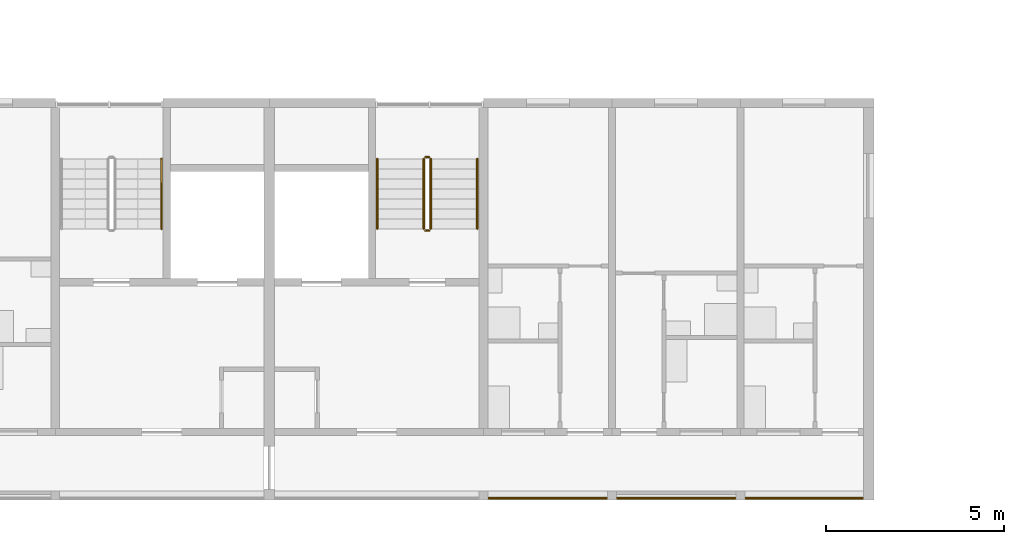
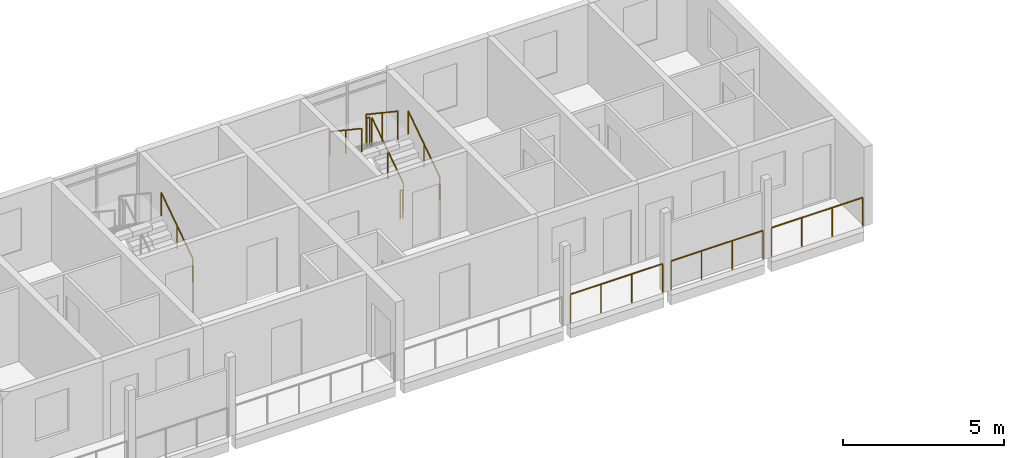
# One storey, part 78 of 93: 10 railings.
"""IFC4 building model written with IfcOpenShell, lengths in metres."""

from ifc_helpers import new_model, si_unit, direction, frame, origin, origin_2d, place, context, subcontext, project, spatial, circle, extrude, material, type_object, element, save


model = new_model("IFC4")

# Units and contexts
model_context = context("Model", 3, precision=1e-05, world=origin(), true_north=direction((0.0, 1.0)))
body_context = subcontext(model_context, "Body", "Model", "MODEL_VIEW")
ifc_project = project(units=[si_unit("LENGTHUNIT", "METRE"), si_unit("AREAUNIT", "SQUARE_METRE"), si_unit("VOLUMEUNIT", "CUBIC_METRE"), si_unit("PLANEANGLEUNIT", "RADIAN"), si_unit("MASSUNIT", "GRAM", prefix="KILO")], contexts=[model_context])

# Site, building, storey
site_placement = place(None, origin())
site = spatial("IfcSite", under=ifc_project, at=site_placement, CompositionType="ELEMENT")
building_placement = place(site_placement, origin())
building = spatial("IfcBuilding", under=site, at=building_placement, Name="Ridgestep Commons", CompositionType="ELEMENT")
storey_placement = place(building_placement, frame((0.0, 0.0, 18.0)))
storey = spatial("IfcBuildingStorey", under=building, at=storey_placement, Name="L06", CompositionType="ELEMENT", Elevation=18.0)

# Railings
ifc_material_1 = material(Name="Structural steel S355JR", Category="steel")
railing_type_1 = type_object("IfcRailingType", Name="Guard 1100", PredefinedType="GUARDRAIL", material=ifc_material_1)
railing_1_placement = place(storey_placement, frame((102.14599609375, 11.800048828125, 0.0)))
element("IfcRailing", 1, at=railing_1_placement, inside=storey, type_object=railing_type_1, Name="Gallery guard A 06.22", PredefinedType="GUARDRAIL", context=body_context, shape_type="SweptSolid", body=[
    extrude(circle(Radius=0.02392578125, at=origin_2d()), frame((0.0, 0.0, 1.076171875), z_axis=(1.0, 0.0, 0.0), x_axis=(0.0, 1.0, 0.0)), (0.0, 0.0, 1.0), 3.30810546875),
    extrude(circle(Radius=0.02099609375, at=origin_2d()), origin(), (0.0, 0.0, 1.0), 1.052001953125),
    extrude(circle(Radius=0.02099609375, at=origin_2d()), frame((1.102783203125, 0.0, 0.0)), (0.0, 0.0, 1.0), 1.052001953125),
    extrude(circle(Radius=0.02099609375, at=origin_2d()), frame((2.205322265625, 0.0, 0.0)), (0.0, 0.0, 1.0), 1.052001953125),
    extrude(circle(Radius=0.02099609375, at=origin_2d()), frame((3.30810546875, 0.0, 0.0)), (0.0, 0.0, 1.0), 1.052001953125),
])
railing_2_placement = place(storey_placement, frame((105.74609375, 11.800048828125, 0.0)))
element("IfcRailing", 2, at=railing_2_placement, inside=storey, type_object=railing_type_1, Name="Gallery guard A 06.23", PredefinedType="GUARDRAIL", context=body_context, shape_type="SweptSolid", body=[
    extrude(circle(Radius=0.02392578125, at=origin_2d()), frame((0.0, 0.0, 1.076171875), z_axis=(1.0, 0.0, 0.0), x_axis=(0.0, 1.0, 0.0)), (0.0, 0.0, 1.0), 3.307861328125),
    extrude(circle(Radius=0.02099609375, at=origin_2d()), origin(), (0.0, 0.0, 1.0), 1.052001953125),
    extrude(circle(Radius=0.02099609375, at=origin_2d()), frame((1.1025390625, 0.0, 0.0)), (0.0, 0.0, 1.0), 1.052001953125),
    extrude(circle(Radius=0.02099609375, at=origin_2d()), frame((2.205322265625, 0.0, 0.0)), (0.0, 0.0, 1.0), 1.052001953125),
    extrude(circle(Radius=0.02099609375, at=origin_2d()), frame((3.307861328125, 0.0, 0.0)), (0.0, 0.0, 1.0), 1.052001953125),
])
railing_3_placement = place(storey_placement, frame((109.345947265625, 11.800048828125, 0.0)))
element("IfcRailing", 3, at=railing_3_placement, inside=storey, type_object=railing_type_1, Name="Gallery guard A 06.24", PredefinedType="GUARDRAIL", context=body_context, shape_type="SweptSolid", body=[
    extrude(circle(Radius=0.02392578125, at=origin_2d()), frame((0.0, 0.0, 1.076171875), z_axis=(1.0, 0.0, 0.0), x_axis=(0.0, 1.0, 0.0)), (0.0, 0.0, 1.0), 3.282958984375),
    extrude(circle(Radius=0.02099609375, at=origin_2d()), origin(), (0.0, 0.0, 1.0), 1.052001953125),
    extrude(circle(Radius=0.02099609375, at=origin_2d()), frame((1.09423828125, 0.0, 0.0)), (0.0, 0.0, 1.0), 1.052001953125),
    extrude(circle(Radius=0.02099609375, at=origin_2d()), frame((2.188720703125, 0.0, 0.0)), (0.0, 0.0, 1.0), 1.052001953125),
    extrude(circle(Radius=0.02099609375, at=origin_2d()), frame((3.282958984375, 0.0, 0.0)), (0.0, 0.0, 1.0), 1.052001953125),
])
ifc_material_2 = material(Name="Structural steel S355JR", Category="steel")
railing_type_2 = type_object("IfcRailingType", Name="Stair guard 1100", PredefinedType="GUARDRAIL", material=ifc_material_2)
railing_4_placement = place(storey_placement, frame((100.52490234375, 19.35009765625, 0.1875)))
element("IfcRailing", 4, at=railing_4_placement, inside=storey, type_object=railing_type_2, Name="L06 A6C stair guard 1", PredefinedType="GUARDRAIL", context=body_context, shape_type="SweptSolid", body=[
    extrude(circle(Radius=0.02392578125, at=origin_2d()), frame((0.0, 0.0, 1.076171875), z_axis=(0.0, 0.830902050051, 0.556418712142), x_axis=(-1.0, 0.0, 0.0)), (0.0, 0.0, 1.0), 2.35888671875),
    extrude(circle(Radius=0.02099609375, at=origin_2d()), origin(), (0.0, 0.0, 1.0), 1.052001953125),
    extrude(circle(Radius=0.02099609375, at=origin_2d()), frame((0.0, 0.97998046875, 0.65625)), (0.0, 0.0, 1.0), 1.052001953125),
    extrude(circle(Radius=0.02099609375, at=origin_2d()), frame((0.0, 1.9599609375, 1.3125)), (0.0, 0.0, 1.0), 1.052001953125),
])
railing_5_placement = place(storey_placement, frame((100.47509765625, 21.360107421875, 1.5)))
element("IfcRailing", 5, at=railing_5_placement, inside=storey, type_object=railing_type_2, Name="L06 A6C stair guard 2", PredefinedType="GUARDRAIL", context=body_context, shape_type="SweptSolid", body=[
    extrude(circle(Radius=0.02392578125, at=origin_2d()), frame((0.0, 0.0, 1.076171875), z_axis=(-1.0, 0.0, 0.0), x_axis=(0.0, -1.0, 0.0)), (0.0, 0.0, 1.0), 0.10009765625),
    extrude(circle(Radius=0.02099609375, at=origin_2d()), origin(), (0.0, 0.0, 1.0), 1.052001953125),
    extrude(circle(Radius=0.02099609375, at=origin_2d()), frame((-0.10009765625, 0.0, 0.0)), (0.0, 0.0, 1.0), 1.052001953125),
])
railing_6_placement = place(storey_placement, frame((100.324951171875, 21.31005859375, 1.6875)))
element("IfcRailing", 6, at=railing_6_placement, inside=storey, type_object=railing_type_2, Name="L06 A6C stair guard 3", PredefinedType="GUARDRAIL", context=body_context, shape_type="SweptSolid", body=[
    extrude(circle(Radius=0.02392578125, at=origin_2d()), frame((0.0, 0.0, 1.076171875), z_axis=(0.0, -0.830902050051, 0.556418712142), x_axis=(1.0, 0.0, 0.0)), (0.0, 0.0, 1.0), 2.35888671875),
    extrude(circle(Radius=0.02099609375, at=origin_2d()), origin(), (0.0, 0.0, 1.0), 1.052001953125),
    extrude(circle(Radius=0.02099609375, at=origin_2d()), frame((0.0, -0.97998046875, 0.65625)), (0.0, 0.0, 1.0), 1.052001953125),
    extrude(circle(Radius=0.02099609375, at=origin_2d()), frame((0.0, -1.9599609375, 1.3125)), (0.0, 0.0, 1.0), 1.052001953125),
])
railing_7_placement = place(storey_placement, frame((100.47509765625, 19.300048828125, 0.0)))
element("IfcRailing", 7, at=railing_7_placement, inside=storey, type_object=railing_type_2, Name="L06 A6C stair guard 4", PredefinedType="GUARDRAIL", context=body_context, shape_type="SweptSolid", body=[
    extrude(circle(Radius=0.02392578125, at=origin_2d()), frame((0.0, 0.0, 1.076171875), z_axis=(-1.0, 0.0, 0.0), x_axis=(0.0, -1.0, 0.0)), (0.0, 0.0, 1.0), 0.10009765625),
    extrude(circle(Radius=0.02099609375, at=origin_2d()), origin(), (0.0, 0.0, 1.0), 1.052001953125),
    extrude(circle(Radius=0.02099609375, at=origin_2d()), frame((-0.10009765625, 0.0, 0.0)), (0.0, 0.0, 1.0), 1.052001953125),
])
ifc_material_3 = material(Name="Structural steel S355JR", Category="steel")
railing_type_3 = type_object("IfcRailingType", Name="Stair handrail 900", PredefinedType="HANDRAIL", material=ifc_material_3)
for number, where, name in (
    (8, (92.97509765625, 19.35009765625, 0.1875), "L06 A5C stair handrail 1"),
    (9, (101.824951171875, 19.35009765625, 0.1875), "L06 A6C stair handrail 1"),
):
    element("IfcRailing", number, at=place(storey_placement, frame(where)), inside=storey, type_object=railing_type_3, Name=name, PredefinedType="HANDRAIL", context=body_context, shape_type="SweptSolid", body=[
        extrude(circle(Radius=0.02392578125, at=origin_2d()), frame((0.0, 0.0, 0.8759765625), z_axis=(0.0, 0.830902050051, 0.556418712142), x_axis=(-1.0, 0.0, 0.0)), (0.0, 0.0, 1.0), 2.35888671875),
        extrude(circle(Radius=0.02099609375, at=origin_2d()), origin(), (0.0, 0.0, 1.0), 0.851806640625),
        extrude(circle(Radius=0.02099609375, at=origin_2d()), frame((0.0, 0.97998046875, 0.65625)), (0.0, 0.0, 1.0), 0.851806640625),
        extrude(circle(Radius=0.02099609375, at=origin_2d()), frame((0.0, 1.9599609375, 1.3125)), (0.0, 0.0, 1.0), 0.851806640625),
    ])
railing_8_placement = place(storey_placement, frame((99.02490234375, 21.31005859375, 1.6875)))
element("IfcRailing", 10, at=railing_8_placement, inside=storey, type_object=railing_type_3, Name="L06 A6C stair handrail 2", PredefinedType="HANDRAIL", context=body_context, shape_type="SweptSolid", body=[
    extrude(circle(Radius=0.02392578125, at=origin_2d()), frame((0.0, 0.0, 0.8759765625), z_axis=(0.0, -0.830902050051, 0.556418712142), x_axis=(1.0, 0.0, 0.0)), (0.0, 0.0, 1.0), 2.35888671875),
    extrude(circle(Radius=0.02099609375, at=origin_2d()), origin(), (0.0, 0.0, 1.0), 0.851806640625),
    extrude(circle(Radius=0.02099609375, at=origin_2d()), frame((0.0, -0.97998046875, 0.65625)), (0.0, 0.0, 1.0), 0.851806640625),
    extrude(circle(Radius=0.02099609375, at=origin_2d()), frame((0.0, -1.9599609375, 1.3125)), (0.0, 0.0, 1.0), 0.851806640625),
])

save(model, "model.ifc")
